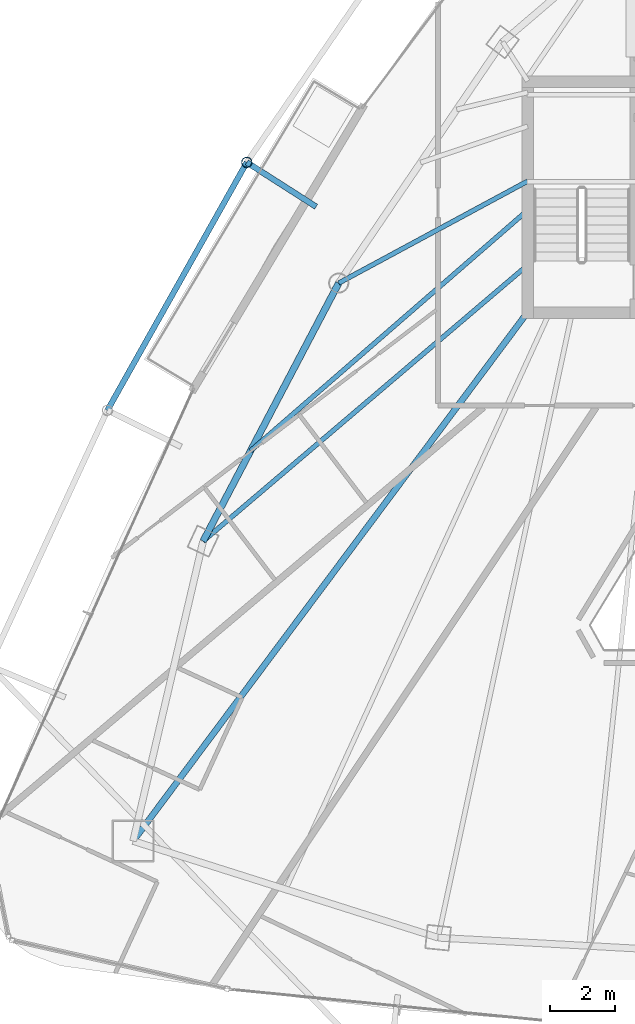
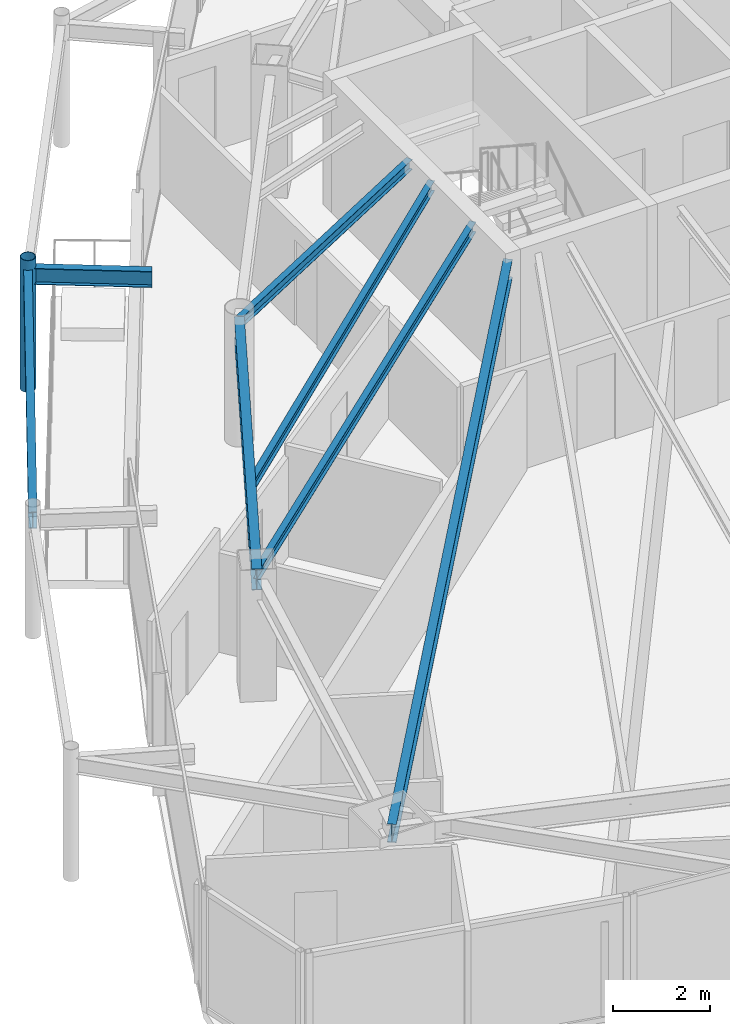
# One storey, part 12 of 33: 7 beams, 1 member.
"""IFC4 building model written with IfcOpenShell, lengths in metres."""

from ifc_helpers import new_model, si_unit, direction, frame, origin, origin_2d, place, context, subcontext, project, spatial, hollow_circle, i_section, extrude, material, material_profile, profile_set, type_object, element, save


model = new_model("IFC4")

# Units and contexts
model_context = context("Model", 3, precision=1e-05, world=origin(), true_north=direction((0.0, 1.0)))
body_context = subcontext(model_context, "Body", "Model", "MODEL_VIEW")
ifc_project = project(units=[si_unit("LENGTHUNIT", "METRE"), si_unit("AREAUNIT", "SQUARE_METRE"), si_unit("VOLUMEUNIT", "CUBIC_METRE"), si_unit("PLANEANGLEUNIT", "RADIAN"), si_unit("MASSUNIT", "GRAM", prefix="KILO")], contexts=[model_context])

# Site, building, storey
site_placement = place(None, origin())
site = spatial("IfcSite", under=ifc_project, at=site_placement, CompositionType="ELEMENT")
building_placement = place(site_placement, origin())
building = spatial("IfcBuilding", under=site, at=building_placement, Name="Orvanel Arch Residences", CompositionType="ELEMENT")
storey_placement = place(building_placement, frame((0.0, 0.0, 206.300048828125)))
storey = spatial("IfcBuildingStorey", under=building, at=storey_placement, Name="L58", CompositionType="ELEMENT", Elevation=206.300048828125)

# Beams
ifc_material_1 = material(Name="Structural steel AS/NZS 3679.1 Grade 300 (300 MPa)", Category="steel")
ifc_material_profile_1 = material_profile(ifc_material_1, i_section(OverallWidth=0.19091796875, OverallDepth=0.4599609375, WebThickness=0.010009765625, FlangeThickness=0.01611328125, at=origin_2d()), Name="460UB82.1")
ifc_profile_set_1 = profile_set([ifc_material_profile_1], Name="Structural steel AS/NZS 3679.1 Grade 300 (300 MPa)")
beam_type_1 = type_object("IfcBeamType", Name="BG-460UB", PredefinedType="BEAM", material=ifc_profile_set_1)
beam_1_placement = place(storey_placement, frame((26.375, 26.675048828125, 2.829833984375), z_axis=(-0.597893733742, -0.801575375839, 0.0), x_axis=(0.801575375839, -0.597893733742, 0.0)))
element("IfcBeam", 1, at=beam_1_placement, inside=storey, type_object=beam_type_1, Name="L58 South-West Radial Girder", PredefinedType="BEAM", context=body_context, shape_type="SweptSolid", body=[
    extrude(i_section(OverallWidth=0.19091796875, OverallDepth=0.4599609375, WebThickness=0.010009765625, FlangeThickness=0.01611328125, at=origin_2d()), origin(), (0.0, 0.0, 1.0), 20.36474609375),
])
ifc_material_profile_2 = material_profile(ifc_material_1, i_section(OverallWidth=0.14599609375, OverallDepth=0.251953125, WebThickness=0.006103515625, FlangeThickness=0.008544921875, at=origin_2d()), Name="250UB31.4")
ifc_profile_set_2 = profile_set([ifc_material_profile_2], Name="Structural steel AS/NZS 3679.1 Grade 300 (300 MPa)")
beam_type_2 = type_object("IfcBeamType", Name="BJ-250UB", PredefinedType="JOIST", material=ifc_profile_set_2)
beam_2_placement = place(storey_placement, frame((26.425048828125, 30.800048828125, 2.933837890625), z_axis=(-0.880111494021, -0.474767056664, 0.0), x_axis=(0.474767056664, -0.880111494021, 0.0)))
element("IfcBeam", 2, at=beam_2_placement, inside=storey, type_object=beam_type_2, Name="L58 NW Wing Floor Joist", PredefinedType="JOIST", context=body_context, shape_type="SweptSolid", body=[
    extrude(i_section(OverallWidth=0.14599609375, OverallDepth=0.251953125, WebThickness=0.006103515625, FlangeThickness=0.008544921875, at=origin_2d()), origin(), (0.0, 0.0, 1.0), 6.653564453125),
])
beam_3_placement = place(storey_placement, frame((26.425048828125, 28.199951171875, 2.933837890625), z_axis=(-0.761622669031, -0.64802076357, 0.0), x_axis=(0.64802076357, -0.761622669031, 0.0)))
element("IfcBeam", 3, at=beam_3_placement, inside=storey, type_object=beam_type_2, Name="L58 W Wing Floor Joist", PredefinedType="JOIST", context=body_context, shape_type="SweptSolid", body=[
    extrude(i_section(OverallWidth=0.14599609375, OverallDepth=0.251953125, WebThickness=0.006103515625, FlangeThickness=0.008544921875, at=origin_2d()), origin(), (0.0, 0.0, 1.0), 13.2060546875),
])
beam_4_placement = place(storey_placement, frame((26.425048828125, 29.89990234375, 2.933837890625), z_axis=(-0.755000957585, -0.655723687269, 0.0), x_axis=(0.655723687269, -0.755000957585, 0.0)))
element("IfcBeam", 4, at=beam_4_placement, inside=storey, type_object=beam_type_2, Name="L58 CTW Wing Floor Joist", PredefinedType="JOIST", context=body_context, shape_type="SweptSolid", body=[
    extrude(i_section(OverallWidth=0.14599609375, OverallDepth=0.251953125, WebThickness=0.006103515625, FlangeThickness=0.008544921875, at=origin_2d()), origin(), (0.0, 0.0, 1.0), 11.373779296875),
])
ifc_material_profile_3 = material_profile(ifc_material_1, i_section(OverallWidth=0.177978515625, OverallDepth=0.406005859375, WebThickness=0.0078125, FlangeThickness=0.0126953125, at=origin_2d()), Name="410UB59.7")
ifc_profile_set_3 = profile_set([ifc_material_profile_3], Name="Structural steel AS/NZS 3679.1 Grade 300 (300 MPa)")
beam_type_3 = type_object("IfcBeamType", Name="OB-410UB-EXT", PredefinedType="SPANDREL", material=ifc_profile_set_3)
beam_5_placement = place(storey_placement, frame((19.867919921875, 30.007080078125, 2.85693359375), z_axis=(-0.842389625194, 0.53886892596, 0.0), x_axis=(-0.53886892596, -0.842389625194, 0.0)))
element("IfcBeam", 5, at=beam_5_placement, inside=storey, type_object=beam_type_3, Name="L58 Outer Frame Radial Tie Beam 02", PredefinedType="SPANDREL", context=body_context, shape_type="SweptSolid", body=[
    extrude(i_section(OverallWidth=0.177978515625, OverallDepth=0.406005859375, WebThickness=0.0078125, FlangeThickness=0.0126953125, at=origin_2d()), origin(), (0.0, 0.0, 1.0), 2.5498046875),
])
beam_6_placement = place(storey_placement, frame((17.719970703125, 31.381103515625, 2.85693359375), z_axis=(-0.490069250464, -0.871683503199, 0.0), x_axis=(0.871683503199, -0.490069250464, 0.0)))
element("IfcBeam", 6, at=beam_6_placement, inside=storey, type_object=beam_type_3, Name="L58 Outer Perimeter Floor Ring Beam 02", PredefinedType="SPANDREL", context=body_context, shape_type="SweptSolid", body=[
    extrude(i_section(OverallWidth=0.177978515625, OverallDepth=0.406005859375, WebThickness=0.0078125, FlangeThickness=0.0126953125, at=origin_2d()), origin(), (0.0, 0.0, 1.0), 8.815185546875),
])
ifc_material_profile_4 = material_profile(ifc_material_1, i_section(OverallWidth=0.208984375, OverallDepth=0.532958984375, WebThickness=0.01025390625, FlangeThickness=0.015625, at=origin_2d()), Name="530UB92.4")
ifc_profile_set_4 = profile_set([ifc_material_profile_4], Name="Structural steel AS/NZS 3679.1 Grade 300 (300 MPa)")
beam_type_4 = type_object("IfcBeamType", Name="SP-530UB", PredefinedType="SPANDREL", material=ifc_profile_set_4)
beam_7_placement = place(storey_placement, frame((20.569091796875, 27.64111328125, 2.7939453125), z_axis=(-0.465064762793, -0.885276660942, 0.0), x_axis=(0.885276660942, -0.465064762793, 0.0)))
element("IfcBeam", 7, at=beam_7_placement, inside=storey, type_object=beam_type_4, Name="L58 Perimeter Spandrel Beam 12", PredefinedType="SPANDREL", context=body_context, shape_type="SweptSolid", body=[
    extrude(i_section(OverallWidth=0.208984375, OverallDepth=0.532958984375, WebThickness=0.01025390625, FlangeThickness=0.015625, at=origin_2d()), origin(), (0.0, 0.0, 1.0), 9.03564453125),
])

# Member
ifc_material_2 = material(Name="Structural steel AS/NZS 1163 C350L0 (Grade 350)", Category="steel")
ifc_material_profile_5 = material_profile(ifc_material_2, hollow_circle(Radius=0.162109375, WallThickness=0.0126953125, at=origin_2d()), Name="CHS324x12.7")
ifc_profile_set_5 = profile_set([ifc_material_profile_5], Name="Structural steel AS/NZS 1163 C350L0 (Grade 350)")
member_type = type_object("IfcMemberType", Name="ST-324CHS-EXT", PredefinedType="STRUT", material=ifc_profile_set_5)
member_placement = place(storey_placement, frame((17.719970703125, 31.381103515625, 0.0), z_axis=(0.0, 0.0, 1.0), x_axis=(1.0, 0.0, 0.0)))
element("IfcMember", 8, at=member_placement, inside=storey, type_object=member_type, Name="L58 Outer Perimeter Frame Post 02", PredefinedType="STRUT", context=body_context, shape_type="SweptSolid", body=[
    extrude(hollow_circle(Radius=0.162109375, WallThickness=0.0126953125, at=origin_2d()), origin(), (0.0, 0.0, 1.0), 3.300048828125),
])

save(model, "model.ifc")
